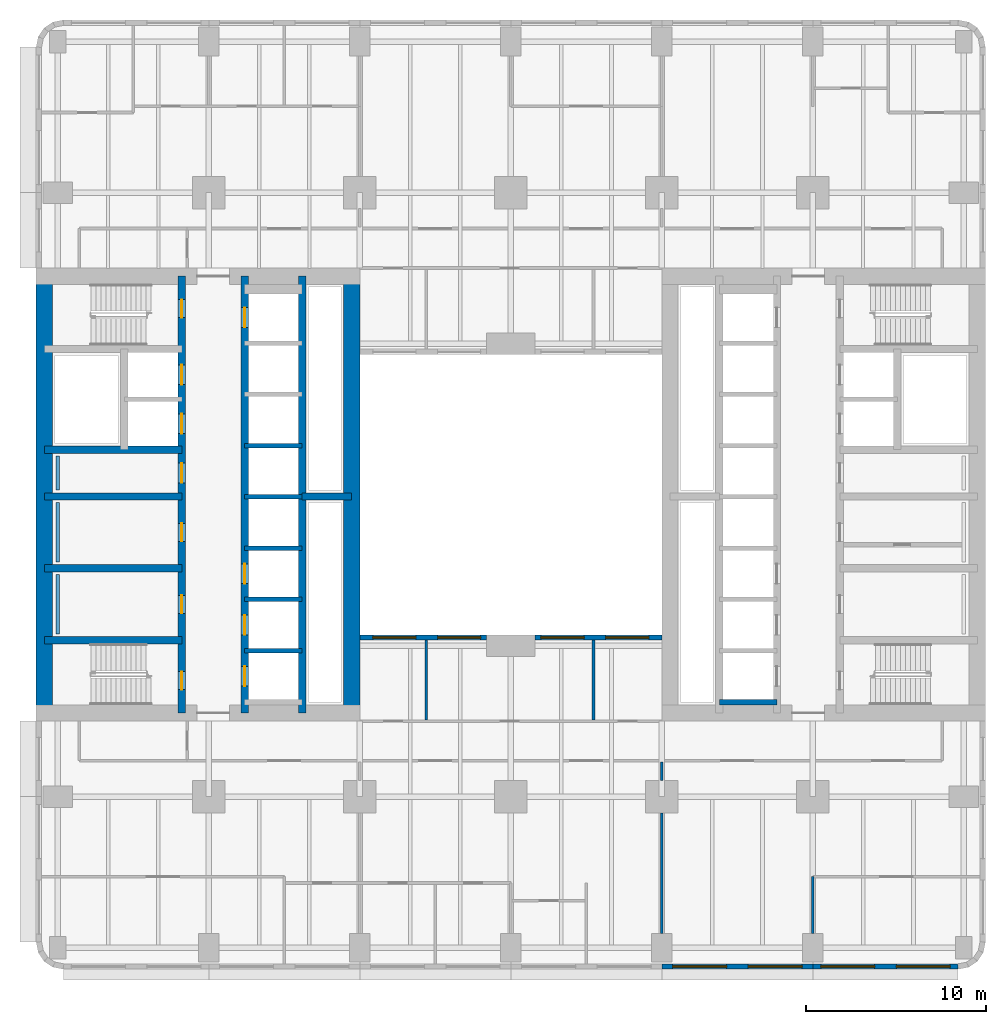
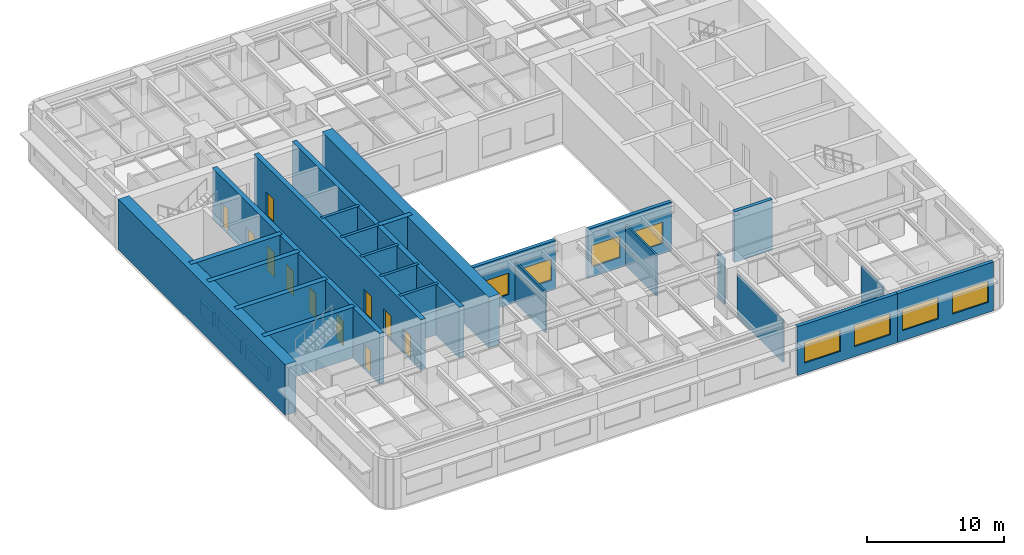
# One storey, part 4 of 12: 28 walls, 11 doors, 8 windows, 19 openings.
"""IFC4 building model written with IfcOpenShell, lengths in metres."""

from ifc_helpers import new_model, si_unit, direction, frame, frame_2d, origin, place, context, subcontext, project, spatial, rectangle, extrude, material, layer, layer_set, type_object, element, fill, save


model = new_model("IFC4")

# Units and contexts
model_context = context("Model", 3, precision=1e-05, world=origin(), true_north=direction((0.0, 1.0)))
body_context = subcontext(model_context, "Body", "Model", "MODEL_VIEW")
ifc_project = project(units=[si_unit("LENGTHUNIT", "METRE"), si_unit("AREAUNIT", "SQUARE_METRE"), si_unit("VOLUMEUNIT", "CUBIC_METRE"), si_unit("PLANEANGLEUNIT", "RADIAN"), si_unit("MASSUNIT", "GRAM", prefix="KILO")], contexts=[model_context])

# Site, building, storey
site_placement = place(None, origin())
site = spatial("IfcSite", under=ifc_project, at=site_placement, CompositionType="ELEMENT")
building_placement = place(site_placement, origin())
building = spatial("IfcBuilding", under=site, at=building_placement, Name="Claustro Exchange Tower", CompositionType="ELEMENT")
storey_placement = place(building_placement, frame((0.0, 0.0, 81.89990234375)))
storey = spatial("IfcBuildingStorey", under=building, at=storey_placement, Name="L18", CompositionType="ELEMENT", Elevation=81.89990234375)

# Walls
ifc_material_1 = material(Name="Gypsum board on steel studs", Category="steel")
ifc_layer_1 = layer(ifc_material_1, 0.14990234375)
ifc_layer_set_1 = layer_set([ifc_layer_1], Name="Gypsum board on steel studs")
wall_type_1 = type_object("IfcWallType", Name="P1 150 plasterboard partition", PredefinedType="PARTITIONING", material=ifc_layer_set_1)
wall_1_placement = place(storey_placement, frame((42.0, 0.799072265625, 0.0), z_axis=(0.0, 0.0, 1.0), x_axis=(0.0, 1.0, 0.0)))
element("IfcWall", 1, at=wall_1_placement, inside=storey, type_object=wall_type_1, Name="Partition P1 L18", PredefinedType="PARTITIONING", context=body_context, shape_type="SweptSolid", body=[
    extrude(rectangle(XDim=3.15087890625, YDim=0.14990234375, at=frame_2d((1.575439453125, 0.0))), origin(), (0.0, 0.0, 1.0), 3.739990234375),
])
wall_2_placement = place(storey_placement, frame((33.60009765625, 0.799072265625, 0.0), z_axis=(0.0, 0.0, 1.0), x_axis=(0.0, 1.0, 0.0)))
element("IfcWall", 2, at=wall_2_placement, inside=storey, type_object=wall_type_1, Name="Partition P1 L18", PredefinedType="PARTITIONING", context=body_context, shape_type="SweptSolid", body=[
    extrude(rectangle(XDim=6.701904296875, YDim=0.14990234375, at=frame_2d((3.35107421875, 0.0))), origin(), (0.0, 0.0, 1.0), 3.739990234375),
])
wall_3_placement = place(storey_placement, frame((33.60009765625, 9.299072265625, 0.0), z_axis=(0.0, 0.0, 1.0), x_axis=(0.0, 1.0, 0.0)))
element("IfcWall", 3, at=wall_3_placement, inside=storey, type_object=wall_type_1, Name="Partition P1 L18", PredefinedType="PARTITIONING", context=body_context, shape_type="SweptSolid", body=[
    extrude(rectangle(XDim=1.02685546875, YDim=0.14990234375, at=frame_2d((0.513427734375, 0.0))), origin(), (0.0, 0.0, 1.0), 3.97998046875),
])
for number, where, z_axis, x_axis, name in (
    (4, (20.5, 12.674072265625, 0.0), (0.0, 0.0, 1.0), (0.0, 1.0, 0.0), "Partition P1 L18"),
    (5, (29.800048828125, 12.674072265625, 0.0), (0.0, 0.0, 1.0), (0.0, 1.0, 0.0), "Partition P1 L18"),
):
    element("IfcWall", number, at=place(storey_placement, frame(where, z_axis=z_axis, x_axis=x_axis)), inside=storey, type_object=wall_type_1, Name=name, PredefinedType="PARTITIONING", context=body_context, shape_type="SweptSolid", body=[
        extrude(rectangle(XDim=4.427978515625, YDim=0.14990234375, at=frame_2d((2.2138671875, 0.0))), origin(), (0.0, 0.0, 1.0), 3.650146484375),
    ])

# Wall, openings, windows
ifc_material_2 = material(Name="Concrete HA-40 (C40/50), precast, white cement, acid-etched", Category="concrete")
ifc_layer_2 = layer(ifc_material_2, 0.300048828125)
ifc_layer_set_2 = layer_set([ifc_layer_2], Name="Concrete HA-40 (C40/50), precast, white cement, acid-etched")
wall_type_2 = type_object("IfcWallType", Name="PC1 300 precast concrete pier panel", PredefinedType="SOLIDWALL", material=ifc_layer_set_2)
wall_4_placement = place(storey_placement, frame((50.085205078125, -1.050048828125, 0.0), z_axis=(0.0, 0.0, 1.0), x_axis=(-1.0, 0.0, 0.0)))
wall_4 = element("IfcWall", 6, at=wall_4_placement, inside=storey, type_object=wall_type_2, Name="Precast pier panel PC1 L18", PredefinedType="SOLIDWALL", context=body_context, shape_type="SweptSolid", body=[
    extrude(rectangle(XDim=8.085205078125, YDim=0.300048828125, at=frame_2d((4.04248046875, 0.0))), origin(), (0.0, 0.0, 1.0), 4.340087890625),
])
opening_1_placement = place(wall_4_placement, frame((0.442626953125, 0.0, 0.89990234375)))
opening_1 = element("IfcOpeningElement", 7, at=opening_1_placement, cuts=wall_4, Name="Opening W1", PredefinedType="OPENING", context=body_context, shape_type="SweptSolid", body=[
    extrude(rectangle(XDim=3.0, YDim=1.89990234375, at=frame_2d((1.5, 0.949951171875))), frame((0.0, 0.159912109375, 0.0), z_axis=(0.0, -1.0, 0.0), x_axis=(1.0, 0.0, 0.0)), (0.0, 0.0, 1.0), 0.320068359375),
])
opening_2_placement = place(wall_4_placement, frame((4.642578125, 0.0, 0.89990234375)))
opening_2 = element("IfcOpeningElement", 8, at=opening_2_placement, cuts=wall_4, Name="Opening W1", PredefinedType="OPENING", context=body_context, shape_type="SweptSolid", body=[
    extrude(rectangle(XDim=3.0, YDim=1.89990234375, at=frame_2d((1.5, 0.949951171875))), frame((0.0, 0.159912109375, 0.0), z_axis=(0.0, -1.0, 0.0), x_axis=(1.0, 0.0, 0.0)), (0.0, 0.0, 1.0), 0.320068359375),
])
ifc_material_3 = material(Name="Aluminium frame, clear double glazing", Category="aluminium")
window_type_1 = type_object("IfcWindowType", Name="W1 3000 x 1900 window", PartitioningType="SINGLE_PANEL", PredefinedType="WINDOW", material=ifc_material_3)
window_1_placement = place(opening_1_placement, origin())
window_1 = element("IfcWindow", 9, at=window_1_placement, inside=storey, type_object=window_type_1, Name="Window W1 L18", OverallHeight=1.89990234375, OverallWidth=3.0, PartitioningType="SINGLE_PANEL", PredefinedType="WINDOW", context=body_context, shape_type="SweptSolid", body=[
    extrude(rectangle(XDim=3.0, YDim=1.89990234375, at=frame_2d((1.5, 0.949951171875))), frame((0.0, 0.030029296875, 0.0), z_axis=(0.0, -1.0, 0.0), x_axis=(1.0, 0.0, 0.0)), (0.0, 0.0, 1.0), 0.06005859375),
])
fill(opening_1, window_1)
window_2_placement = place(opening_2_placement, origin())
window_2 = element("IfcWindow", 10, at=window_2_placement, inside=storey, type_object=window_type_1, Name="Window W1 L18", OverallHeight=1.89990234375, OverallWidth=3.0, PartitioningType="SINGLE_PANEL", PredefinedType="WINDOW", context=body_context, shape_type="SweptSolid", body=[
    extrude(rectangle(XDim=3.0, YDim=1.89990234375, at=frame_2d((1.5, 0.949951171875))), frame((0.0, 0.030029296875, 0.0), z_axis=(0.0, -1.0, 0.0), x_axis=(1.0, 0.0, 0.0)), (0.0, 0.0, 1.0), 0.06005859375),
])
fill(opening_2, window_2)

wall_5_placement = place(storey_placement, frame((42.0, -1.050048828125, 0.0), z_axis=(0.0, 0.0, 1.0), x_axis=(-1.0, 0.0, 0.0)))
wall_5 = element("IfcWall", 11, at=wall_5_placement, inside=storey, type_object=wall_type_2, Name="Precast pier panel PC1 L18", PredefinedType="SOLIDWALL", context=body_context, shape_type="SweptSolid", body=[
    extrude(rectangle(XDim=8.39990234375, YDim=0.300048828125, at=frame_2d((4.199951171875, 0.0))), origin(), (0.0, 0.0, 1.0), 4.340087890625),
])
opening_3_placement = place(wall_5_placement, frame((0.60009765625, 0.0, 0.89990234375)))
opening_3 = element("IfcOpeningElement", 12, at=opening_3_placement, cuts=wall_5, Name="Opening W1", PredefinedType="OPENING", context=body_context, shape_type="SweptSolid", body=[
    extrude(rectangle(XDim=3.0, YDim=1.89990234375, at=frame_2d((1.5, 0.949951171875))), frame((0.0, 0.159912109375, 0.0), z_axis=(0.0, -1.0, 0.0), x_axis=(1.0, 0.0, 0.0)), (0.0, 0.0, 1.0), 0.320068359375),
])
opening_4_placement = place(wall_5_placement, frame((4.800048828125, 0.0, 0.89990234375)))
opening_4 = element("IfcOpeningElement", 13, at=opening_4_placement, cuts=wall_5, Name="Opening W1", PredefinedType="OPENING", context=body_context, shape_type="SweptSolid", body=[
    extrude(rectangle(XDim=3.0, YDim=1.89990234375, at=frame_2d((1.5, 0.949951171875))), frame((0.0, 0.159912109375, 0.0), z_axis=(0.0, -1.0, 0.0), x_axis=(1.0, 0.0, 0.0)), (0.0, 0.0, 1.0), 0.320068359375),
])
window_3_placement = place(opening_3_placement, origin())
window_3 = element("IfcWindow", 14, at=window_3_placement, inside=storey, type_object=window_type_1, Name="Window W1 L18", OverallHeight=1.89990234375, OverallWidth=3.0, PartitioningType="SINGLE_PANEL", PredefinedType="WINDOW", context=body_context, shape_type="SweptSolid", body=[
    extrude(rectangle(XDim=3.0, YDim=1.89990234375, at=frame_2d((1.5, 0.949951171875))), frame((0.0, 0.030029296875, 0.0), z_axis=(0.0, -1.0, 0.0), x_axis=(1.0, 0.0, 0.0)), (0.0, 0.0, 1.0), 0.06005859375),
])
fill(opening_3, window_3)
window_4_placement = place(opening_4_placement, origin())
window_4 = element("IfcWindow", 15, at=window_4_placement, inside=storey, type_object=window_type_1, Name="Window W1 L18", OverallHeight=1.89990234375, OverallWidth=3.0, PartitioningType="SINGLE_PANEL", PredefinedType="WINDOW", context=body_context, shape_type="SweptSolid", body=[
    extrude(rectangle(XDim=3.0, YDim=1.89990234375, at=frame_2d((1.5, 0.949951171875))), frame((0.0, 0.030029296875, 0.0), z_axis=(0.0, -1.0, 0.0), x_axis=(1.0, 0.0, 0.0)), (0.0, 0.0, 1.0), 0.06005859375),
])
fill(opening_4, window_4)

wall_6_placement = place(storey_placement, frame((16.800048828125, 17.25, 0.0), z_axis=(0.0, 0.0, 1.0), x_axis=(1.0, 0.0, 0.0)))
wall_6 = element("IfcWall", 16, at=wall_6_placement, inside=storey, type_object=wall_type_2, Name="Precast pier panel PC1 L18", PredefinedType="SOLIDWALL", context=body_context, shape_type="SweptSolid", body=[
    extrude(rectangle(XDim=7.050048828125, YDim=0.300048828125, at=frame_2d((3.52490234375, 0.0))), origin(), (0.0, 0.0, 1.0), 4.340087890625),
])
opening_5_placement = place(wall_6_placement, frame((0.72509765625, 0.0, 0.89990234375)))
opening_5 = element("IfcOpeningElement", 17, at=opening_5_placement, cuts=wall_6, Name="Opening W2", PredefinedType="OPENING", context=body_context, shape_type="SweptSolid", body=[
    extrude(rectangle(XDim=2.39990234375, YDim=1.89990234375, at=frame_2d((1.199951171875, 0.949951171875))), frame((0.0, 0.159912109375, 0.0), z_axis=(0.0, -1.0, 0.0), x_axis=(1.0, 0.0, 0.0)), (0.0, 0.0, 1.0), 0.320068359375),
])
opening_6_placement = place(wall_6_placement, frame((4.324951171875, 0.0, 0.89990234375)))
opening_6 = element("IfcOpeningElement", 18, at=opening_6_placement, cuts=wall_6, Name="Opening W2", PredefinedType="OPENING", context=body_context, shape_type="SweptSolid", body=[
    extrude(rectangle(XDim=2.39990234375, YDim=1.89990234375, at=frame_2d((1.199951171875, 0.949951171875))), frame((0.0, 0.159912109375, 0.0), z_axis=(0.0, -1.0, 0.0), x_axis=(1.0, 0.0, 0.0)), (0.0, 0.0, 1.0), 0.320068359375),
])
ifc_material_4 = material(Name="Aluminium frame, clear double glazing", Category="aluminium")
window_type_2 = type_object("IfcWindowType", Name="W2 2400 x 1900 window", PartitioningType="SINGLE_PANEL", PredefinedType="WINDOW", material=ifc_material_4)
window_5_placement = place(opening_5_placement, origin())
window_5 = element("IfcWindow", 19, at=window_5_placement, inside=storey, type_object=window_type_2, Name="Window W2 L18", OverallHeight=1.89990234375, OverallWidth=2.39990234375, PartitioningType="SINGLE_PANEL", PredefinedType="WINDOW", context=body_context, shape_type="SweptSolid", body=[
    extrude(rectangle(XDim=2.39990234375, YDim=1.89990234375, at=frame_2d((1.199951171875, 0.949951171875))), frame((0.0, 0.030029296875, 0.0), z_axis=(0.0, -1.0, 0.0), x_axis=(1.0, 0.0, 0.0)), (0.0, 0.0, 1.0), 0.06005859375),
])
fill(opening_5, window_5)
window_6_placement = place(opening_6_placement, origin())
window_6 = element("IfcWindow", 20, at=window_6_placement, inside=storey, type_object=window_type_2, Name="Window W2 L18", OverallHeight=1.89990234375, OverallWidth=2.39990234375, PartitioningType="SINGLE_PANEL", PredefinedType="WINDOW", context=body_context, shape_type="SweptSolid", body=[
    extrude(rectangle(XDim=2.39990234375, YDim=1.89990234375, at=frame_2d((1.199951171875, 0.949951171875))), frame((0.0, 0.030029296875, 0.0), z_axis=(0.0, -1.0, 0.0), x_axis=(1.0, 0.0, 0.0)), (0.0, 0.0, 1.0), 0.06005859375),
])
fill(opening_6, window_6)

wall_7_placement = place(storey_placement, frame((26.550048828125, 17.25, 0.0), z_axis=(0.0, 0.0, 1.0), x_axis=(1.0, 0.0, 0.0)))
wall_7 = element("IfcWall", 21, at=wall_7_placement, inside=storey, type_object=wall_type_2, Name="Precast pier panel PC1 L18", PredefinedType="SOLIDWALL", context=body_context, shape_type="SweptSolid", body=[
    extrude(rectangle(XDim=7.050048828125, YDim=0.300048828125, at=frame_2d((3.52490234375, 0.0))), origin(), (0.0, 0.0, 1.0), 4.340087890625),
])
opening_7_placement = place(wall_7_placement, frame((0.324951171875, 0.0, 0.89990234375)))
opening_7 = element("IfcOpeningElement", 22, at=opening_7_placement, cuts=wall_7, Name="Opening W2", PredefinedType="OPENING", context=body_context, shape_type="SweptSolid", body=[
    extrude(rectangle(XDim=2.39990234375, YDim=1.89990234375, at=frame_2d((1.199951171875, 0.949951171875))), frame((0.0, 0.159912109375, 0.0), z_axis=(0.0, -1.0, 0.0), x_axis=(1.0, 0.0, 0.0)), (0.0, 0.0, 1.0), 0.320068359375),
])
opening_8_placement = place(wall_7_placement, frame((3.925048828125, 0.0, 0.89990234375)))
opening_8 = element("IfcOpeningElement", 23, at=opening_8_placement, cuts=wall_7, Name="Opening W2", PredefinedType="OPENING", context=body_context, shape_type="SweptSolid", body=[
    extrude(rectangle(XDim=2.39990234375, YDim=1.89990234375, at=frame_2d((1.199951171875, 0.949951171875))), frame((0.0, 0.159912109375, 0.0), z_axis=(0.0, -1.0, 0.0), x_axis=(1.0, 0.0, 0.0)), (0.0, 0.0, 1.0), 0.320068359375),
])
window_7_placement = place(opening_7_placement, origin())
window_7 = element("IfcWindow", 24, at=window_7_placement, inside=storey, type_object=window_type_2, Name="Window W2 L18", OverallHeight=1.89990234375, OverallWidth=2.39990234375, PartitioningType="SINGLE_PANEL", PredefinedType="WINDOW", context=body_context, shape_type="SweptSolid", body=[
    extrude(rectangle(XDim=2.39990234375, YDim=1.89990234375, at=frame_2d((1.199951171875, 0.949951171875))), frame((0.0, 0.030029296875, 0.0), z_axis=(0.0, -1.0, 0.0), x_axis=(1.0, 0.0, 0.0)), (0.0, 0.0, 1.0), 0.06005859375),
])
fill(opening_7, window_7)
window_8_placement = place(opening_8_placement, origin())
window_8 = element("IfcWindow", 25, at=window_8_placement, inside=storey, type_object=window_type_2, Name="Window W2 L18", OverallHeight=1.89990234375, OverallWidth=2.39990234375, PartitioningType="SINGLE_PANEL", PredefinedType="WINDOW", context=body_context, shape_type="SweptSolid", body=[
    extrude(rectangle(XDim=2.39990234375, YDim=1.89990234375, at=frame_2d((1.199951171875, 0.949951171875))), frame((0.0, 0.030029296875, 0.0), z_axis=(0.0, -1.0, 0.0), x_axis=(1.0, 0.0, 0.0)), (0.0, 0.0, 1.0), 0.06005859375),
])
fill(opening_8, window_8)

# Walls
ifc_material_5 = material(Name="Gypsum board on steel studs, tiled", Category="steel")
ifc_layer_3 = layer(ifc_material_5, 0.199951171875)
ifc_layer_set_3 = layer_set([ifc_layer_3], Name="Gypsum board on steel studs, tiled")
wall_type_3 = type_object("IfcWallType", Name="PW1 200 WC duct wall", PredefinedType="PLUMBINGWALL", material=ifc_layer_set_3)
for number, where, z_axis, x_axis, name in (
    (26, (0.0, 17.449951171875, 0.0), (0.0, 0.0, 1.0), (0.0, 1.0, 0.0), "WC duct wall PW1 L18"),
    (27, (0.0, 21.449951171875, 0.0), (0.0, 0.0, 1.0), (0.0, 1.0, 0.0), "WC duct wall PW1 L18"),
):
    element("IfcWall", number, at=place(storey_placement, frame(where, z_axis=z_axis, x_axis=x_axis)), inside=storey, type_object=wall_type_3, Name=name, PredefinedType="PLUMBINGWALL", context=body_context, shape_type="SweptSolid", body=[
        extrude(rectangle(XDim=3.300048828125, YDim=0.199951171875, at=frame_2d((1.64990234375, 0.0))), origin(), (0.0, 0.0, 1.0), 1.2001953125),
    ])
wall_8_placement = place(storey_placement, frame((0.0, 25.449951171875, 0.0), z_axis=(0.0, 0.0, 1.0), x_axis=(0.0, 1.0, 0.0)))
element("IfcWall", 28, at=wall_8_placement, inside=storey, type_object=wall_type_3, Name="WC duct wall PW1 L18", PredefinedType="PLUMBINGWALL", context=body_context, shape_type="SweptSolid", body=[
    extrude(rectangle(XDim=1.900146484375, YDim=0.199951171875, at=frame_2d((0.9501953125, 0.0))), origin(), (0.0, 0.0, 1.0), 1.2001953125),
])
ifc_material_6 = material(Name="Concrete HA-70 (C70/85)", Category="concrete")
ifc_layer_4 = layer(ifc_material_6, 0.89990234375)
ifc_layer_set_4 = layer_set([ifc_layer_4], Name="Concrete HA-70 (C70/85)")
wall_type_4 = type_object("IfcWallType", Name="SW1X 900 exposed core shear wall, board-marked face", PredefinedType="SHEAR", material=ifc_layer_set_4)
for number, where, z_axis, x_axis, name in (
    (29, (-0.75, 13.050048828125, 0.0), (0.0, 0.0, 1.0), (0.0, 1.0, 0.0), "Core wall SW1X W core W face L18"),
    (30, (16.35009765625, 13.050048828125, 0.0), (0.0, 0.0, 1.0), (0.0, 1.0, 0.0), "Core wall SW1X W core E face L18"),
):
    element("IfcWall", number, at=place(storey_placement, frame(where, z_axis=z_axis, x_axis=x_axis)), inside=storey, type_object=wall_type_4, Name=name, PredefinedType="SHEAR", context=body_context, shape_type="SweptSolid", body=[
        extrude(rectangle(XDim=24.300048828125, YDim=0.89990234375, at=frame_2d((12.14990234375, 0.0))), origin(), (0.0, 0.0, 1.0), 4.5),
    ])

# Wall, openings, doors
ifc_material_7 = material(Name="Concrete HA-50 (C50/60)", Category="concrete")
ifc_layer_5 = layer(ifc_material_7, 0.39990234375)
ifc_layer_set_5 = layer_set([ifc_layer_5], Name="Concrete HA-50 (C50/60)")
wall_type_5 = type_object("IfcWallType", Name="SW4 400 internal core wall", PredefinedType="SHEAR", material=ifc_layer_set_5)
wall_9_placement = place(storey_placement, frame((6.89990234375, 13.050048828125, 0.0), z_axis=(0.0, 0.0, 1.0), x_axis=(0.0, 1.0, 0.0)))
wall_9 = element("IfcWall", 31, at=wall_9_placement, inside=storey, type_object=wall_type_5, Name="Internal core wall SW4 W core L18", PredefinedType="SHEAR", context=body_context, shape_type="SweptSolid", body=[
    extrude(rectangle(XDim=24.300048828125, YDim=0.39990234375, at=frame_2d((12.14990234375, 0.0))), origin(), (0.0, 0.0, 1.0), 4.5),
])
opening_9_placement = place(wall_9_placement, frame((1.300048828125, 0.0, 0.0)))
opening_9 = element("IfcOpeningElement", 32, at=opening_9_placement, cuts=wall_9, Name="Opening D4", PredefinedType="OPENING", context=body_context, shape_type="SweptSolid", body=[
    extrude(rectangle(XDim=1.0, YDim=2.199951171875, at=frame_2d((0.5, 1.10009765625))), frame((0.0, 0.2099609375, 0.0), z_axis=(0.0, -1.0, 0.0), x_axis=(1.0, 0.0, 0.0)), (0.0, 0.0, 1.0), 0.419921875),
])
opening_10_placement = place(wall_9_placement, frame((22.0, 0.0, 0.0)))
opening_10 = element("IfcOpeningElement", 33, at=opening_10_placement, cuts=wall_9, Name="Opening D4", PredefinedType="OPENING", context=body_context, shape_type="SweptSolid", body=[
    extrude(rectangle(XDim=1.0, YDim=2.199951171875, at=frame_2d((0.5, 1.10009765625))), frame((0.0, 0.2099609375, 0.0), z_axis=(0.0, -1.0, 0.0), x_axis=(1.0, 0.0, 0.0)), (0.0, 0.0, 1.0), 0.419921875),
])
opening_11_placement = place(wall_9_placement, frame((5.550048828125, 0.0, 0.0)))
opening_11 = element("IfcOpeningElement", 34, at=opening_11_placement, cuts=wall_9, Name="Opening D1", PredefinedType="OPENING", context=body_context, shape_type="SweptSolid", body=[
    extrude(rectangle(XDim=1.0, YDim=2.199951171875, at=frame_2d((0.5, 1.10009765625))), frame((0.0, 0.2099609375, 0.0), z_axis=(0.0, -1.0, 0.0), x_axis=(1.0, 0.0, 0.0)), (0.0, 0.0, 1.0), 0.419921875),
])
opening_12_placement = place(wall_9_placement, frame((9.550048828125, 0.0, 0.0)))
opening_12 = element("IfcOpeningElement", 35, at=opening_12_placement, cuts=wall_9, Name="Opening D1", PredefinedType="OPENING", context=body_context, shape_type="SweptSolid", body=[
    extrude(rectangle(XDim=1.0, YDim=2.199951171875, at=frame_2d((0.5, 1.10009765625))), frame((0.0, 0.2099609375, 0.0), z_axis=(0.0, -1.0, 0.0), x_axis=(1.0, 0.0, 0.0)), (0.0, 0.0, 1.0), 0.419921875),
])
opening_13_placement = place(wall_9_placement, frame((12.800048828125, 0.0, 0.0)))
opening_13 = element("IfcOpeningElement", 36, at=opening_13_placement, cuts=wall_9, Name="Opening D10", PredefinedType="OPENING", context=body_context, shape_type="SweptSolid", body=[
    extrude(rectangle(XDim=1.10009765625, YDim=2.199951171875, at=frame_2d((0.550048828125, 1.10009765625))), frame((0.0, 0.2099609375, 0.0), z_axis=(0.0, -1.0, 0.0), x_axis=(1.0, 0.0, 0.0)), (0.0, 0.0, 1.0), 0.419921875),
])
opening_14_placement = place(wall_9_placement, frame((15.53759765625, 0.0, 0.0)))
opening_14 = element("IfcOpeningElement", 37, at=opening_14_placement, cuts=wall_9, Name="Opening LD", PredefinedType="OPENING", context=body_context, shape_type="SweptSolid", body=[
    extrude(rectangle(XDim=1.10009765625, YDim=2.199951171875, at=frame_2d((0.550048828125, 1.10009765625))), frame((0.0, 0.2099609375, 0.0), z_axis=(0.0, -1.0, 0.0), x_axis=(1.0, 0.0, 0.0)), (0.0, 0.0, 1.0), 0.419921875),
])
opening_15_placement = place(wall_9_placement, frame((18.262451171875, 0.0, 0.0)))
opening_15 = element("IfcOpeningElement", 38, at=opening_15_placement, cuts=wall_9, Name="Opening LD", PredefinedType="OPENING", context=body_context, shape_type="SweptSolid", body=[
    extrude(rectangle(XDim=1.10009765625, YDim=2.199951171875, at=frame_2d((0.550048828125, 1.10009765625))), frame((0.0, 0.2099609375, 0.0), z_axis=(0.0, -1.0, 0.0), x_axis=(1.0, 0.0, 0.0)), (0.0, 0.0, 1.0), 0.419921875),
])
ifc_material_8 = material(Name="Timber door, oak veneer", Category="wood")
door_type_1 = type_object("IfcDoorType", Name="D1 1000 x 2200 single door", OperationType="SINGLE_SWING_LEFT", PredefinedType="DOOR", material=ifc_material_8)
door_1_placement = place(opening_11_placement, origin())
door_1 = element("IfcDoor", 39, at=door_1_placement, inside=storey, type_object=door_type_1, Name="Door D1 L18", OperationType="SINGLE_SWING_RIGHT", OverallHeight=2.199951171875, OverallWidth=1.0, PredefinedType="DOOR", context=body_context, shape_type="SweptSolid", body=[
    extrude(rectangle(XDim=1.0, YDim=2.199951171875, at=frame_2d((0.5, 1.10009765625))), frame((0.0, 0.02490234375, 0.0), z_axis=(0.0, -1.0, 0.0), x_axis=(1.0, 0.0, 0.0)), (0.0, 0.0, 1.0), 0.050048828125),
])
fill(opening_11, door_1)
door_2_placement = place(opening_12_placement, origin())
door_2 = element("IfcDoor", 40, at=door_2_placement, inside=storey, type_object=door_type_1, Name="Door D1 L18", OperationType="SINGLE_SWING_RIGHT", OverallHeight=2.199951171875, OverallWidth=1.0, PredefinedType="DOOR", context=body_context, shape_type="SweptSolid", body=[
    extrude(rectangle(XDim=1.0, YDim=2.199951171875, at=frame_2d((0.5, 1.10009765625))), frame((0.0, 0.02490234375, 0.0), z_axis=(0.0, -1.0, 0.0), x_axis=(1.0, 0.0, 0.0)), (0.0, 0.0, 1.0), 0.050048828125),
])
fill(opening_12, door_2)
ifc_material_9 = material(Name="Timber door, oak veneer", Category="wood")
door_type_2 = type_object("IfcDoorType", Name="D10 1100 x 2200 accessible WC door", OperationType="SINGLE_SWING_LEFT", PredefinedType="DOOR", material=ifc_material_9)
door_3_placement = place(opening_13_placement, frame((1.10009765625, 0.0, 0.0), z_axis=(0.0, 0.0, 1.0), x_axis=(-1.0, 0.0, 0.0)))
door_3 = element("IfcDoor", 41, at=door_3_placement, inside=storey, type_object=door_type_2, Name="Accessible WC door D10 L18", OperationType="SINGLE_SWING_LEFT", OverallHeight=2.199951171875, OverallWidth=1.10009765625, PredefinedType="DOOR", context=body_context, shape_type="SweptSolid", body=[
    extrude(rectangle(XDim=1.10009765625, YDim=2.199951171875, at=frame_2d((0.550048828125, 1.10009765625))), frame((0.0, 0.02490234375, 0.0), z_axis=(0.0, -1.0, 0.0), x_axis=(1.0, 0.0, 0.0)), (0.0, 0.0, 1.0), 0.050048828125),
])
fill(opening_13, door_3)
ifc_material_10 = material(Name="Steel fire door, painted", Category="steel")
door_type_3 = type_object("IfcDoorType", Name="D4 1000 x 2200 fire-rated stair door", OperationType="SINGLE_SWING_LEFT", PredefinedType="DOOR", material=ifc_material_10)
door_4_placement = place(opening_9_placement, origin())
door_4 = element("IfcDoor", 42, at=door_4_placement, inside=storey, type_object=door_type_3, Name="Stair door D4 L18", OperationType="SINGLE_SWING_LEFT", OverallHeight=2.199951171875, OverallWidth=1.0, PredefinedType="DOOR", context=body_context, shape_type="SweptSolid", body=[
    extrude(rectangle(XDim=1.0, YDim=2.199951171875, at=frame_2d((0.5, 1.10009765625))), frame((0.0, 0.02490234375, 0.0), z_axis=(0.0, -1.0, 0.0), x_axis=(1.0, 0.0, 0.0)), (0.0, 0.0, 1.0), 0.050048828125),
])
fill(opening_9, door_4)
door_5_placement = place(opening_10_placement, origin())
door_5 = element("IfcDoor", 43, at=door_5_placement, inside=storey, type_object=door_type_3, Name="Stair door D4 L18", OperationType="SINGLE_SWING_RIGHT", OverallHeight=2.199951171875, OverallWidth=1.0, PredefinedType="DOOR", context=body_context, shape_type="SweptSolid", body=[
    extrude(rectangle(XDim=1.0, YDim=2.199951171875, at=frame_2d((0.5, 1.10009765625))), frame((0.0, 0.02490234375, 0.0), z_axis=(0.0, -1.0, 0.0), x_axis=(1.0, 0.0, 0.0)), (0.0, 0.0, 1.0), 0.050048828125),
])
fill(opening_10, door_5)
ifc_material_11 = material(Name="Stainless steel sliding door", Category="steel")
door_type_4 = type_object("IfcDoorType", Name="LD 1100 x 2200 lift landing door", OperationType="DOUBLE_DOOR_SLIDING", PredefinedType="DOOR", material=ifc_material_11)
door_6_placement = place(opening_14_placement, origin())
door_6 = element("IfcDoor", 44, at=door_6_placement, inside=storey, type_object=door_type_4, Name="Lift landing door LEW1 LD L18", OperationType="DOUBLE_DOOR_SLIDING", OverallHeight=2.199951171875, OverallWidth=1.10009765625, PredefinedType="DOOR", context=body_context, shape_type="SweptSolid", body=[
    extrude(rectangle(XDim=1.10009765625, YDim=2.199951171875, at=frame_2d((0.550048828125, 1.10009765625))), frame((0.0, 0.02490234375, 0.0), z_axis=(0.0, -1.0, 0.0), x_axis=(1.0, 0.0, 0.0)), (0.0, 0.0, 1.0), 0.050048828125),
])
fill(opening_14, door_6)
door_7_placement = place(opening_15_placement, origin())
door_7 = element("IfcDoor", 45, at=door_7_placement, inside=storey, type_object=door_type_4, Name="Lift landing door LEW2 LD L18", OperationType="DOUBLE_DOOR_SLIDING", OverallHeight=2.199951171875, OverallWidth=1.10009765625, PredefinedType="DOOR", context=body_context, shape_type="SweptSolid", body=[
    extrude(rectangle(XDim=1.10009765625, YDim=2.199951171875, at=frame_2d((0.550048828125, 1.10009765625))), frame((0.0, 0.02490234375, 0.0), z_axis=(0.0, -1.0, 0.0), x_axis=(1.0, 0.0, 0.0)), (0.0, 0.0, 1.0), 0.050048828125),
])
fill(opening_15, door_7)

wall_10_placement = place(storey_placement, frame((10.39990234375, 13.050048828125, 0.0), z_axis=(0.0, 0.0, 1.0), x_axis=(0.0, 1.0, 0.0)))
wall_10 = element("IfcWall", 46, at=wall_10_placement, inside=storey, type_object=wall_type_5, Name="Internal core wall SW4 W core L18", PredefinedType="SHEAR", context=body_context, shape_type="SweptSolid", body=[
    extrude(rectangle(XDim=24.300048828125, YDim=0.39990234375, at=frame_2d((12.14990234375, 0.0))), origin(), (0.0, 0.0, 1.0), 4.5),
])
opening_16_placement = place(wall_10_placement, frame((1.5, 0.0, 0.0)))
opening_16 = element("IfcOpeningElement", 47, at=opening_16_placement, cuts=wall_10, Name="Opening LD", PredefinedType="OPENING", context=body_context, shape_type="SweptSolid", body=[
    extrude(rectangle(XDim=1.10009765625, YDim=2.199951171875, at=frame_2d((0.550048828125, 1.10009765625))), frame((0.0, 0.2099609375, 0.0), z_axis=(0.0, -1.0, 0.0), x_axis=(1.0, 0.0, 0.0)), (0.0, 0.0, 1.0), 0.419921875),
])
opening_17_placement = place(wall_10_placement, frame((4.35009765625, 0.0, 0.0)))
opening_17 = element("IfcOpeningElement", 48, at=opening_17_placement, cuts=wall_10, Name="Opening LD", PredefinedType="OPENING", context=body_context, shape_type="SweptSolid", body=[
    extrude(rectangle(XDim=1.10009765625, YDim=2.199951171875, at=frame_2d((0.550048828125, 1.10009765625))), frame((0.0, 0.2099609375, 0.0), z_axis=(0.0, -1.0, 0.0), x_axis=(1.0, 0.0, 0.0)), (0.0, 0.0, 1.0), 0.419921875),
])
opening_18_placement = place(wall_10_placement, frame((7.199951171875, 0.0, 0.0)))
opening_18 = element("IfcOpeningElement", 49, at=opening_18_placement, cuts=wall_10, Name="Opening LD", PredefinedType="OPENING", context=body_context, shape_type="SweptSolid", body=[
    extrude(rectangle(XDim=1.10009765625, YDim=2.199951171875, at=frame_2d((0.550048828125, 1.10009765625))), frame((0.0, 0.2099609375, 0.0), z_axis=(0.0, -1.0, 0.0), x_axis=(1.0, 0.0, 0.0)), (0.0, 0.0, 1.0), 0.419921875),
])
opening_19_placement = place(wall_10_placement, frame((21.449951171875, 0.0, 0.0)))
opening_19 = element("IfcOpeningElement", 50, at=opening_19_placement, cuts=wall_10, Name="Opening LD", PredefinedType="OPENING", context=body_context, shape_type="SweptSolid", body=[
    extrude(rectangle(XDim=1.10009765625, YDim=2.199951171875, at=frame_2d((0.550048828125, 1.10009765625))), frame((0.0, 0.2099609375, 0.0), z_axis=(0.0, -1.0, 0.0), x_axis=(1.0, 0.0, 0.0)), (0.0, 0.0, 1.0), 0.419921875),
])
door_8_placement = place(opening_16_placement, origin())
door_8 = element("IfcDoor", 51, at=door_8_placement, inside=storey, type_object=door_type_4, Name="Lift landing door LLW1 LD L18", OperationType="DOUBLE_DOOR_SLIDING", OverallHeight=2.199951171875, OverallWidth=1.10009765625, PredefinedType="DOOR", context=body_context, shape_type="SweptSolid", body=[
    extrude(rectangle(XDim=1.10009765625, YDim=2.199951171875, at=frame_2d((0.550048828125, 1.10009765625))), frame((0.0, 0.02490234375, 0.0), z_axis=(0.0, -1.0, 0.0), x_axis=(1.0, 0.0, 0.0)), (0.0, 0.0, 1.0), 0.050048828125),
])
fill(opening_16, door_8)
door_9_placement = place(opening_17_placement, origin())
door_9 = element("IfcDoor", 52, at=door_9_placement, inside=storey, type_object=door_type_4, Name="Lift landing door LLW2 LD L18", OperationType="DOUBLE_DOOR_SLIDING", OverallHeight=2.199951171875, OverallWidth=1.10009765625, PredefinedType="DOOR", context=body_context, shape_type="SweptSolid", body=[
    extrude(rectangle(XDim=1.10009765625, YDim=2.199951171875, at=frame_2d((0.550048828125, 1.10009765625))), frame((0.0, 0.02490234375, 0.0), z_axis=(0.0, -1.0, 0.0), x_axis=(1.0, 0.0, 0.0)), (0.0, 0.0, 1.0), 0.050048828125),
])
fill(opening_17, door_9)
door_10_placement = place(opening_18_placement, origin())
door_10 = element("IfcDoor", 53, at=door_10_placement, inside=storey, type_object=door_type_4, Name="Lift landing door LLW3 LD L18", OperationType="DOUBLE_DOOR_SLIDING", OverallHeight=2.199951171875, OverallWidth=1.10009765625, PredefinedType="DOOR", context=body_context, shape_type="SweptSolid", body=[
    extrude(rectangle(XDim=1.10009765625, YDim=2.199951171875, at=frame_2d((0.550048828125, 1.10009765625))), frame((0.0, 0.02490234375, 0.0), z_axis=(0.0, -1.0, 0.0), x_axis=(1.0, 0.0, 0.0)), (0.0, 0.0, 1.0), 0.050048828125),
])
fill(opening_18, door_10)
door_11_placement = place(opening_19_placement, origin())
door_11 = element("IfcDoor", 54, at=door_11_placement, inside=storey, type_object=door_type_4, Name="Lift landing door LSW1 LD L18", OperationType="DOUBLE_DOOR_SLIDING", OverallHeight=2.199951171875, OverallWidth=1.10009765625, PredefinedType="DOOR", context=body_context, shape_type="SweptSolid", body=[
    extrude(rectangle(XDim=1.10009765625, YDim=2.199951171875, at=frame_2d((0.550048828125, 1.10009765625))), frame((0.0, 0.02490234375, 0.0), z_axis=(0.0, -1.0, 0.0), x_axis=(1.0, 0.0, 0.0)), (0.0, 0.0, 1.0), 0.050048828125),
])
fill(opening_19, door_11)

# Walls
wall_11_placement = place(storey_placement, frame((13.60009765625, 13.050048828125, 0.0), z_axis=(0.0, 0.0, 1.0), x_axis=(0.0, 1.0, 0.0)))
element("IfcWall", 55, at=wall_11_placement, inside=storey, type_object=wall_type_5, Name="Internal core wall SW4 W core L18", PredefinedType="SHEAR", context=body_context, shape_type="SweptSolid", body=[
    extrude(rectangle(XDim=24.300048828125, YDim=0.39990234375, at=frame_2d((12.14990234375, 0.0))), origin(), (0.0, 0.0, 1.0), 4.5),
])
for number, where, z_axis, x_axis, name in (
    (56, (-0.75, 17.10009765625, 0.0), (0.0, 0.0, 1.0), (1.0, 0.0, 0.0), "Internal core wall SW4 W core L18"),
    (57, (-0.75, 21.10009765625, 0.0), (0.0, 0.0, 1.0), (1.0, 0.0, 0.0), "Internal core wall SW4 W core L18"),
    (58, (-0.75, 25.10009765625, 0.0), (0.0, 0.0, 1.0), (1.0, 0.0, 0.0), "Internal core wall SW4 W core L18"),
    (59, (-0.75, 27.699951171875, 0.0), (0.0, 0.0, 1.0), (1.0, 0.0, 0.0), "Internal core wall SW4 W core L18"),
):
    element("IfcWall", number, at=place(storey_placement, frame(where, z_axis=z_axis, x_axis=x_axis)), inside=storey, type_object=wall_type_5, Name=name, PredefinedType="SHEAR", context=body_context, shape_type="SweptSolid", body=[
        extrude(rectangle(XDim=7.64990234375, YDim=0.39990234375, at=frame_2d((3.824951171875, 0.0))), origin(), (0.0, 0.0, 1.0), 4.5),
    ])
wall_12_placement = place(storey_placement, frame((13.60009765625, 25.10009765625, 0.0), z_axis=(0.0, 0.0, 1.0), x_axis=(1.0, 0.0, 0.0)))
element("IfcWall", 60, at=wall_12_placement, inside=storey, type_object=wall_type_5, Name="Internal core wall SW4 W core L18", PredefinedType="SHEAR", context=body_context, shape_type="SweptSolid", body=[
    extrude(rectangle(XDim=2.75, YDim=0.39990234375, at=frame_2d((1.375, 0.0))), origin(), (0.0, 0.0, 1.0), 4.5),
])
ifc_material_12 = material(Name="Concrete HA-50 (C50/60)", Category="concrete")
ifc_layer_6 = layer(ifc_material_12, 0.25)
ifc_layer_set_6 = layer_set([ifc_layer_6], Name="Concrete HA-50 (C50/60)")
wall_type_6 = type_object("IfcWallType", Name="SW5 250 lift shaft divider wall", PredefinedType="SHEAR", material=ifc_layer_set_6)
for number, where, z_axis, x_axis, name in (
    (61, (10.39990234375, 16.52490234375, 0.0), (0.0, 0.0, 1.0), (1.0, 0.0, 0.0), "Lift shaft wall W core L18"),
    (62, (10.39990234375, 19.375, 0.0), (0.0, 0.0, 1.0), (1.0, 0.0, 0.0), "Lift shaft wall W core L18"),
    (63, (10.39990234375, 22.22509765625, 0.0), (0.0, 0.0, 1.0), (1.0, 0.0, 0.0), "Lift shaft wall W core L18"),
    (64, (10.39990234375, 25.074951171875, 0.0), (0.0, 0.0, 1.0), (1.0, 0.0, 0.0), "Lift shaft wall W core L18"),
    (65, (10.39990234375, 27.925048828125, 0.0), (0.0, 0.0, 1.0), (1.0, 0.0, 0.0), "Lift shaft wall W core L18"),
):
    element("IfcWall", number, at=place(storey_placement, frame(where, z_axis=z_axis, x_axis=x_axis)), inside=storey, type_object=wall_type_6, Name=name, PredefinedType="SHEAR", context=body_context, shape_type="SweptSolid", body=[
        extrude(rectangle(XDim=3.2001953125, YDim=0.25, at=frame_2d((1.60009765625, 0.0))), origin(), (0.0, 0.0, 1.0), 4.5),
    ])
ifc_material_13 = material(Name="Concrete HA-50 (C50/60)", Category="concrete")
ifc_layer_7 = layer(ifc_material_13, 0.300048828125)
ifc_layer_set_7 = layer_set([ifc_layer_7], Name="Concrete HA-50 (C50/60)")
wall_type_7 = type_object("IfcWallType", Name="SW6A 300 lift shaft end wall", PredefinedType="SHEAR", material=ifc_layer_set_7)
wall_13_placement = place(storey_placement, frame((40.0, 13.64990234375, 0.0), z_axis=(0.0, 0.0, 1.0), x_axis=(-1.0, 0.0, 0.0)))
element("IfcWall", 66, at=wall_13_placement, inside=storey, type_object=wall_type_7, Name="Lift shaft wall E core L18", PredefinedType="SHEAR", context=body_context, shape_type="SweptSolid", body=[
    extrude(rectangle(XDim=3.199951171875, YDim=0.300048828125, at=frame_2d((1.60009765625, 0.0))), origin(), (0.0, 0.0, 1.0), 4.5),
])

save(model, "model.ifc")
